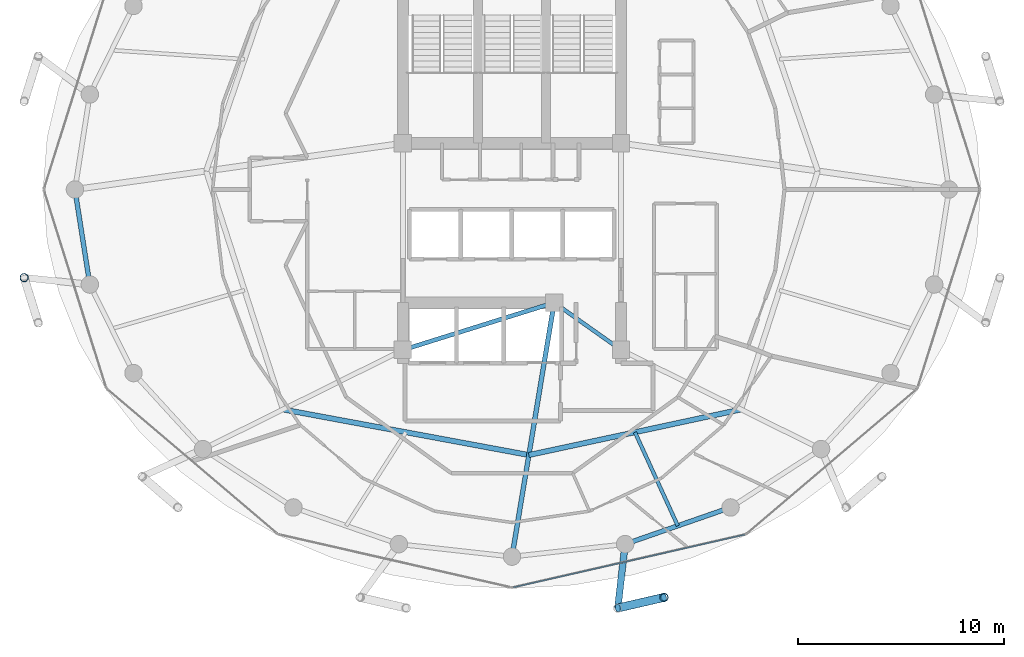
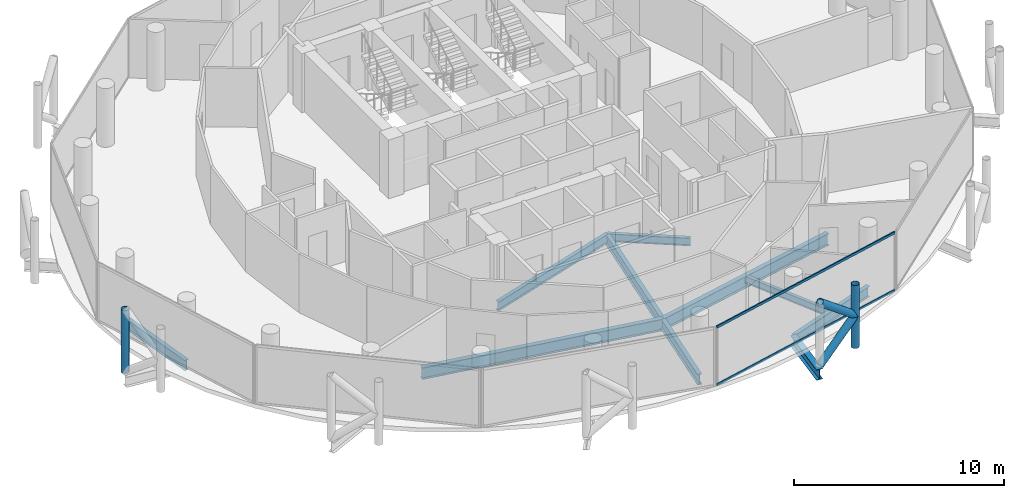
# One storey, part 6 of 27: 9 beams, 6 members, 1 element without a shape of its own.
"""IFC4 building model written with IfcOpenShell, lengths in metres."""

from ifc_helpers import new_model, si_unit, direction, frame, origin, origin_2d, place, context, subcontext, project, spatial, hollow_rectangle, hollow_circle, i_section, extrude, material, layer, layer_set, material_profile, profile_set, type_object, element, aggregate, save


model = new_model("IFC4")

# Units and contexts
model_context = context("Model", 3, precision=1e-05, world=origin(), true_north=direction((0.0, 1.0)))
body_context = subcontext(model_context, "Body", "Model", "MODEL_VIEW")
ifc_project = project(units=[si_unit("LENGTHUNIT", "METRE"), si_unit("AREAUNIT", "SQUARE_METRE"), si_unit("VOLUMEUNIT", "CUBIC_METRE"), si_unit("PLANEANGLEUNIT", "RADIAN"), si_unit("MASSUNIT", "GRAM", prefix="KILO")], contexts=[model_context])

# Site, building, storey
site_placement = place(None, origin())
site = spatial("IfcSite", under=ifc_project, at=site_placement, CompositionType="ELEMENT")
building_placement = place(site_placement, origin())
building = spatial("IfcBuilding", under=site, at=building_placement, Name="Nuhasar Tower", CompositionType="ELEMENT")
storey_placement = place(building_placement, frame((0.0, 0.0, 237.35009765625)))
storey = spatial("IfcBuildingStorey", under=building, at=storey_placement, Name="L58", CompositionType="ELEMENT", Elevation=237.35009765625)

# Beams
ifc_material_1 = material(Name="Steel S355", Category="steel")
ifc_material_profile_1 = material_profile(ifc_material_1, i_section(OverallWidth=0.25390625, OverallDepth=0.68408203125, WebThickness=0.012451171875, FlangeThickness=0.018798828125, at=origin_2d()), Name="W27X94")
ifc_profile_set_1 = profile_set([ifc_material_profile_1], Name="Steel S355")
beam_type_1 = type_object("IfcBeamType", Name="BM-INRING-W27X94", PredefinedType="BEAM", material=ifc_profile_set_1)
beam_1_placement = place(storey_placement, frame((27.864013671875, 16.10693359375, -0.58203125), z_axis=(0.983238439987, -0.182324354193, 0.0), x_axis=(0.182324354193, 0.983238439987, 0.0)))
element("IfcBeam", 1, at=beam_1_placement, inside=storey, type_object=beam_type_1, Name="L58 Inner Header Beam 01", PredefinedType="BEAM", context=body_context, shape_type="SweptSolid", body=[
    extrude(i_section(OverallWidth=0.25390625, OverallDepth=0.68408203125, WebThickness=0.012451171875, FlangeThickness=0.018798828125, at=origin_2d()), origin(), (0.0, 0.0, 1.0), 12.159912109375),
])
beam_2_placement = place(storey_placement, frame((39.820068359375, 13.889892578125, -0.58203125), z_axis=(0.977676275959, 0.210116870876, 0.0), x_axis=(-0.210116870876, 0.977676275959, 0.0)))
element("IfcBeam", 2, at=beam_2_placement, inside=storey, type_object=beam_type_1, Name="L58 Inner Header Beam 02", PredefinedType="BEAM", context=body_context, shape_type="SweptSolid", body=[
    extrude(i_section(OverallWidth=0.25390625, OverallDepth=0.68408203125, WebThickness=0.012451171875, FlangeThickness=0.018798828125, at=origin_2d()), origin(), (0.0, 0.0, 1.0), 10.551513671875),
])
ifc_material_profile_2 = material_profile(ifc_material_1, i_section(OverallWidth=0.177978515625, OverallDepth=0.406005859375, WebThickness=0.0078125, FlangeThickness=0.0126953125, at=origin_2d()), Name="W16X40")
ifc_profile_set_2 = profile_set([ifc_material_profile_2], Name="Steel S355")
beam_type_2 = type_object("IfcBeamType", Name="BM-JST-W16X40", PredefinedType="JOIST", material=ifc_profile_set_2)
beam_3_placement = place(storey_placement, frame((44.97802734375, 14.998046875, -0.443115234375), z_axis=(0.416562288184, -0.909107177434, 0.0), x_axis=(0.909107177434, 0.416562288184, 0.0)))
element("IfcBeam", 3, at=beam_3_placement, inside=storey, type_object=beam_type_2, Name="L58 Secondary Floor Joist 02", PredefinedType="JOIST", context=body_context, shape_type="SweptSolid", body=[
    extrude(i_section(OverallWidth=0.177978515625, OverallDepth=0.406005859375, WebThickness=0.0078125, FlangeThickness=0.0126953125, at=origin_2d()), origin(), (0.0, 0.0, 1.0), 5.0029296875),
])
ifc_material_profile_3 = material_profile(ifc_material_1, i_section(OverallWidth=0.18994140625, OverallDepth=0.45703125, WebThickness=0.009033203125, FlangeThickness=0.014404296875, at=origin_2d()), Name="W18X50")
ifc_profile_set_3 = profile_set([ifc_material_profile_3], Name="Steel S355")
beam_type_3 = type_object("IfcBeamType", Name="BM-RAD-W18X50", PredefinedType="BEAM", material=ifc_profile_set_3)
beam_4_placement = place(storey_placement, frame((41.050048828125, 21.300048828125, -0.468017578125), z_axis=(0.816265428953, -0.577677028708, 0.0), x_axis=(0.577677028708, 0.816265428953, 0.0)))
element("IfcBeam", 4, at=beam_4_placement, inside=storey, type_object=beam_type_3, Name="L58 Core Ring Girder 2", PredefinedType="BEAM", context=body_context, shape_type="SweptSolid", body=[
    extrude(i_section(OverallWidth=0.18994140625, OverallDepth=0.45703125, WebThickness=0.009033203125, FlangeThickness=0.014404296875, at=origin_2d()), origin(), (0.0, 0.0, 1.0), 3.9814453125),
])
ifc_material_profile_4 = material_profile(ifc_material_1, i_section(OverallWidth=0.208984375, OverallDepth=0.528076171875, WebThickness=0.009521484375, FlangeThickness=0.01318359375, at=origin_2d()), Name="W21X55")
ifc_profile_set_4 = profile_set([ifc_material_profile_4], Name="Steel S355")
beam_type_4 = type_object("IfcBeamType", Name="BM-RAD-W21X55", PredefinedType="BEAM", material=ifc_profile_set_4)
beam_5_placement = place(storey_placement, frame((33.699951171875, 19.0, -0.504150390625), z_axis=(0.954363709454, 0.298646798205, 0.0), x_axis=(-0.298646798205, 0.954363709454, 0.0)))
element("IfcBeam", 5, at=beam_5_placement, inside=storey, type_object=beam_type_4, Name="L58 Core Ring Girder 1", PredefinedType="BEAM", context=body_context, shape_type="SweptSolid", body=[
    extrude(i_section(OverallWidth=0.208984375, OverallDepth=0.528076171875, WebThickness=0.009521484375, FlangeThickness=0.01318359375, at=origin_2d()), origin(), (0.0, 0.0, 1.0), 7.70166015625),
])
ifc_material_profile_5 = material_profile(ifc_material_1, i_section(OverallWidth=0.22900390625, OverallDepth=0.612060546875, WebThickness=0.011962890625, FlangeThickness=0.01953125, at=origin_2d()), Name="W24X84")
ifc_profile_set_5 = profile_set([ifc_material_profile_5], Name="Steel S355")
beam_type_5 = type_object("IfcBeamType", Name="BM-RAD-W24X84", PredefinedType="BEAM", material=ifc_profile_set_5)
beam_6_placement = place(storey_placement, frame((41.050048828125, 21.300048828125, -0.546142578125), z_axis=(-0.163753822517, -0.98650123447, 0.0), x_axis=(0.98650123447, -0.163753822517, 0.0)))
element("IfcBeam", 6, at=beam_6_placement, inside=storey, type_object=beam_type_5, Name="L58 Radial Floor Girder 02", PredefinedType="BEAM", context=body_context, shape_type="SweptSolid", body=[
    extrude(i_section(OverallWidth=0.22900390625, OverallDepth=0.612060546875, WebThickness=0.011962890625, FlangeThickness=0.01953125, at=origin_2d()), origin(), (0.0, 0.0, 1.0), 12.51904296875),
])
ifc_material_profile_6 = material_profile(ifc_material_1, i_section(OverallWidth=0.22802734375, OverallDepth=0.60791015625, WebThickness=0.01123046875, FlangeThickness=0.017333984375, at=origin_2d()), Name="W24X76")
ifc_profile_set_6 = profile_set([ifc_material_profile_6], Name="Steel S355")
beam_type_6 = type_object("IfcBeamType", Name="BM-RING-W24X76", PredefinedType="SPANDREL", material=ifc_profile_set_6)
beam_7_placement = place(storey_placement, frame((17.75, 26.800048828125, -0.544189453125), z_axis=(0.154841886404, -0.987939264436, 0.0), x_axis=(0.987939264436, 0.154841886404, 0.0)))
element("IfcBeam", 7, at=beam_7_placement, inside=storey, type_object=beam_type_6, Name="L58 Perimeter Ring Spandrel 13", PredefinedType="SPANDREL", context=body_context, shape_type="SweptSolid", body=[
    extrude(i_section(OverallWidth=0.22802734375, OverallDepth=0.60791015625, WebThickness=0.01123046875, FlangeThickness=0.017333984375, at=origin_2d()), origin(), (0.0, 0.0, 1.0), 4.676513671875),
])
beam_8_placement = place(storey_placement, frame((44.5, 9.55810546875, -0.544189453125), z_axis=(0.944476764686, 0.328578211342, 0.0), x_axis=(-0.328578211342, 0.944476764686, 0.0)))
element("IfcBeam", 8, at=beam_8_placement, inside=storey, type_object=beam_type_6, Name="L58 Perimeter Ring Spandrel 20", PredefinedType="SPANDREL", context=body_context, shape_type="SweptSolid", body=[
    extrude(i_section(OverallWidth=0.22802734375, OverallDepth=0.60791015625, WebThickness=0.01123046875, FlangeThickness=0.017333984375, at=origin_2d()), origin(), (0.0, 0.0, 1.0), 5.42626953125),
])
ifc_material_profile_7 = material_profile(ifc_material_1, i_section(OverallWidth=0.323974609375, OverallDepth=0.611083984375, WebThickness=0.0126953125, FlangeThickness=0.01904296875, at=origin_2d()), Name="W24X104")
ifc_profile_set_7 = profile_set([ifc_material_profile_7], Name="Steel S355")
beam_type_7 = type_object("IfcBeamType", Name="BM-TIE-W24X104", PredefinedType="BEAM", material=ifc_profile_set_7)
beam_9_placement = place(storey_placement, frame((44.5, 9.55810546875, -0.545166015625), z_axis=(-0.114123371392, -0.993466585297, 0.0), x_axis=(0.993466585297, -0.114123371392, 0.0)))
element("IfcBeam", 9, at=beam_9_placement, inside=storey, type_object=beam_type_7, Name="L58 Exoskeleton Node Tie Beam 10", PredefinedType="BEAM", context=body_context, shape_type="SweptSolid", body=[
    extrude(i_section(OverallWidth=0.323974609375, OverallDepth=0.611083984375, WebThickness=0.0126953125, FlangeThickness=0.01904296875, at=origin_2d()), origin(), (0.0, 0.0, 1.0), 3.127685546875),
])

# Curtain wall, members
ifc_material_2 = material(Name="Aluminium 6063-T6", Category="aluminium")
ifc_layer = layer(ifc_material_2, 0.18994140625)
ifc_layer_set = layer_set([ifc_layer], Name="Aluminium 6063-T6")
curtain_wall_type = type_object("IfcCurtainWallType", Name="CW-Z3-RES", PredefinedType="NOTDEFINED", material=ifc_layer_set)
curtain_wall_placement = place(storey_placement, origin())
curtain_wall = element("IfcCurtainWall", 10, at=curtain_wall_placement, inside=storey, type_object=curtain_wall_type, Name="L58 Unitised Curtain Wall 10", PredefinedType="NOTDEFINED")
ifc_material_profile_8 = material_profile(ifc_material_2, hollow_rectangle(XDim=0.06494140625, YDim=0.139892578125, WallThickness=0.00439453125, at=origin_2d()), Name="CWT-4")
ifc_profile_set_8 = profile_set([ifc_material_profile_8], Name="Aluminium 6063-T6")
member_type_1 = type_object("IfcMemberType", Name="CW-TRN-S4", PredefinedType="USERDEFINED", material=ifc_profile_set_8)
member_1_placement = place(storey_placement, frame((39.0634765625, 7.454345703125, 0.032470703125), z_axis=(0.974989487479, 0.222250982686, 0.0), x_axis=(-0.222250982686, 0.974989487479, 0.0)))
member_1 = element("IfcMember", 11, at=member_1_placement, type_object=member_type_1, Name="CW-Z3 transom 1.1", ObjectType="TRANSOM", PredefinedType="USERDEFINED", context=body_context, shape_type="SweptSolid", body=[
    extrude(hollow_rectangle(XDim=0.06494140625, YDim=0.139892578125, WallThickness=0.00439453125, at=origin_2d()), origin(), (0.0, 0.0, 1.0), 11.541748046875),
])
member_2_placement = place(storey_placement, frame((39.0634765625, 7.454345703125, 3.37744140625), z_axis=(0.974989487479, 0.222250982686, 0.0), x_axis=(-0.222250982686, 0.974989487479, 0.0)))
member_2 = element("IfcMember", 12, at=member_2_placement, type_object=member_type_1, Name="CW-Z3 transom 1.2", ObjectType="TRANSOM", PredefinedType="USERDEFINED", context=body_context, shape_type="SweptSolid", body=[
    extrude(hollow_rectangle(XDim=0.06494140625, YDim=0.139892578125, WallThickness=0.00439453125, at=origin_2d()), origin(), (0.0, 0.0, 1.0), 11.541748046875),
])
aggregate(curtain_wall, [member_1, member_2])

# Members
ifc_material_3 = material(Name="Steel S460", Category="steel")
ifc_material_profile_9 = material_profile(ifc_material_3, hollow_circle(Radius=0.203125, WallThickness=0.01904296875, at=origin_2d()), Name="HSS406.4X19.1")
ifc_profile_set_9 = profile_set([ifc_material_profile_9], Name="Steel S460")
member_type_2 = type_object("IfcMemberType", Name="EXO-BRONZE-406", PredefinedType="BRACE", material=ifc_profile_set_9)
for number, where, z_axis, x_axis, name in (
    (13, (15.281982421875, 22.513916015625, 0.0), (0.0, 0.0, 1.0), (1.0, 0.0, 0.0), "L58 Exoskeleton Chord Column EC-07A"),
    (14, (46.384033203125, 6.967041015625, 0.0), (0.0, 0.0, 1.0), (1.0, 0.0, 0.0), "L58 Exoskeleton Chord Column EC-10B"),
):
    element("IfcMember", number, at=place(storey_placement, frame(where, z_axis=z_axis, x_axis=x_axis)), inside=storey, type_object=member_type_2, Name=name, PredefinedType="BRACE", context=body_context, shape_type="SweptSolid", body=[
        extrude(hollow_circle(Radius=0.203125, WallThickness=0.01904296875, at=origin_2d()), origin(), (0.0, 0.0, 1.0), 3.64990234375),
    ])
for number, where, z_axis, x_axis, name in (
    (15, (44.14306640625, 6.450927734375, 0.0), (0.76333158458, 0.175801609086, 0.621625841021), (-0.224433035437, 0.97448951385, 0.0), "L58 Bronze Diagrid Brace W1-10"),
    (16, (46.384033203125, 6.967041015625, 1.824951171875), (-0.76333158458, -0.175801609086, 0.621625841021), (0.224433035437, -0.97448951385, 0.0), "L58 Bronze Diagrid Brace W2-10"),
):
    element("IfcMember", number, at=place(storey_placement, frame(where, z_axis=z_axis, x_axis=x_axis)), inside=storey, type_object=member_type_2, Name=name, PredefinedType="BRACE", context=body_context, shape_type="SweptSolid", body=[
        extrude(hollow_circle(Radius=0.203125, WallThickness=0.01904296875, at=origin_2d()), origin(), (0.0, 0.0, 1.0), 2.935791015625),
    ])

save(model, "model.ifc")
